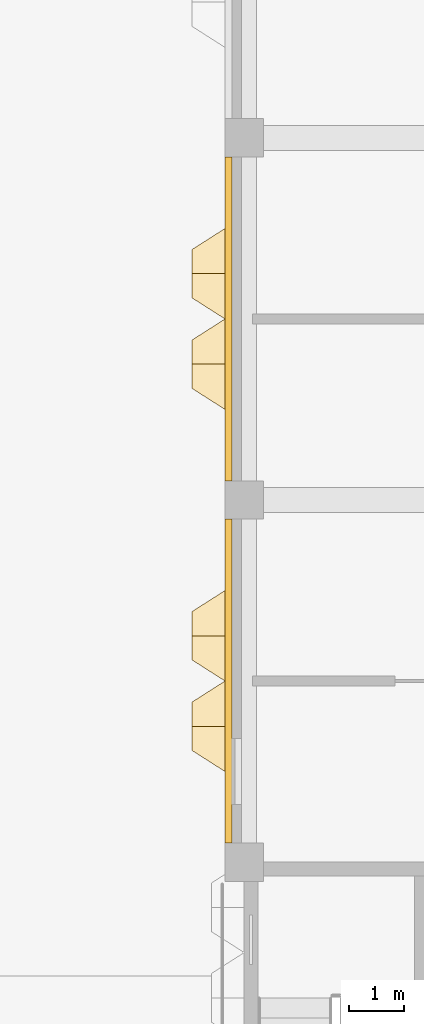
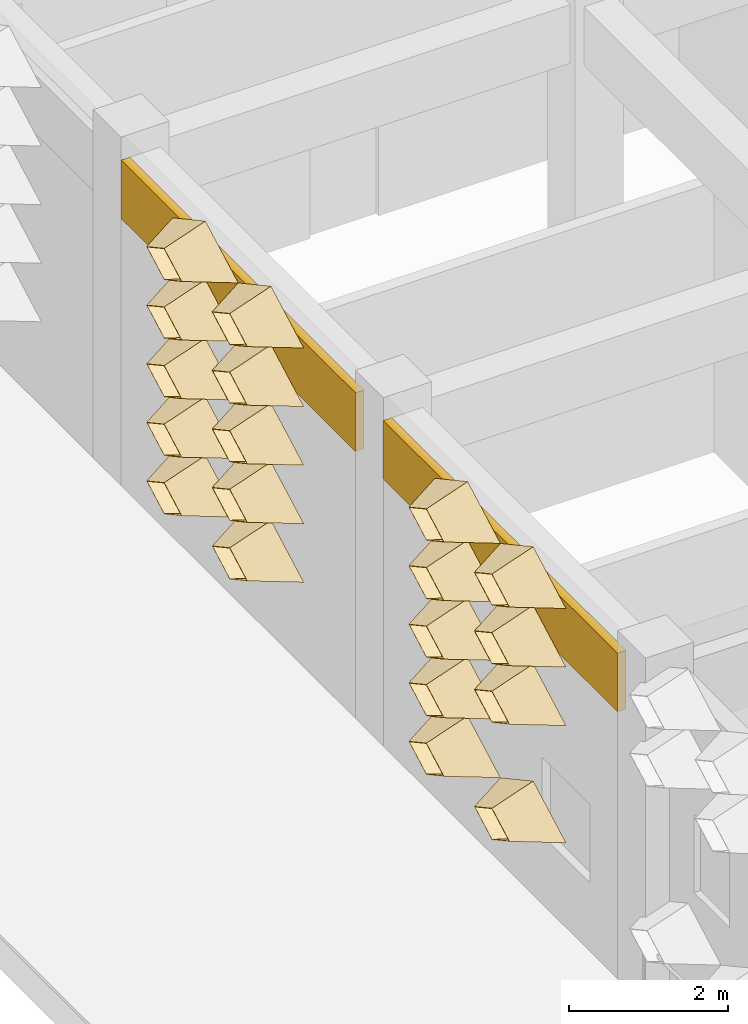
# One storey, part 63 of 85: 21 coverings.
"""IFC4 building model written with IfcOpenShell, lengths in metres."""

from ifc_helpers import new_model, entity, si_unit, direction, frame, frame_2d, origin, place, context, subcontext, project, spatial, rectangle, extrude, material, layer, layer_set, type_object, element, save


model = new_model("IFC4")

# Units and contexts
model_context = context("Model", 3, precision=1e-05, world=origin(), true_north=direction((0.0, 1.0)))
body_context = subcontext(model_context, "Body", "Model", "MODEL_VIEW")
ifc_project = project(units=[si_unit("LENGTHUNIT", "METRE"), si_unit("AREAUNIT", "SQUARE_METRE"), si_unit("VOLUMEUNIT", "CUBIC_METRE"), si_unit("PLANEANGLEUNIT", "RADIAN"), si_unit("MASSUNIT", "GRAM", prefix="KILO")], contexts=[model_context])

# Site, building, storey
site_placement = place(None, origin())
site = spatial("IfcSite", under=ifc_project, at=site_placement, CompositionType="ELEMENT")
building_placement = place(site_placement, origin())
building = spatial("IfcBuilding", under=site, at=building_placement, Name="Lantern Court Research Institute", CompositionType="ELEMENT")
storey_placement = place(building_placement, origin())
storey = spatial("IfcBuildingStorey", under=building, at=storey_placement, Name="L00", CompositionType="ELEMENT", Elevation=0.0)

# Coverings
ifc_material_1 = material(Name="Aluminium composite panel with mineral wool insulation", Category="aluminium")
ifc_layer_1 = layer(ifc_material_1, 0.125)
ifc_layer_set_1 = layer_set([ifc_layer_1], Name="Aluminium composite panel with mineral wool insulation")
covering_type_1 = type_object("IfcCoveringType", Name="Edge fascia panel 125 aluminium faced", PredefinedType="CLADDING", material=ifc_layer_set_1)
covering_1_placement = place(storey_placement, frame((-0.28759765625, 56.449951171875, 4.14990234375), z_axis=(0.0, 0.0, 1.0), x_axis=(0.0, 1.0, 0.0)))
element("IfcCovering", 1, at=covering_1_placement, inside=storey, type_object=covering_type_1, Name="Edge fascia V3W L00 01", PredefinedType="CLADDING", context=body_context, shape_type="SweptSolid", body=[
    extrude(rectangle(XDim=5.900146484375, YDim=0.125, at=frame_2d((2.9501953125, 0.0))), origin(), (0.0, 0.0, 1.0), 0.900146484375),
])
covering_2_placement = place(storey_placement, frame((-0.28759765625, 63.050048828125, 4.14990234375), z_axis=(0.0, 0.0, 1.0), x_axis=(0.0, 1.0, 0.0)))
element("IfcCovering", 2, at=covering_2_placement, inside=storey, type_object=covering_type_1, Name="Edge fascia V3W L00 02", PredefinedType="CLADDING", context=body_context, shape_type="SweptSolid", body=[
    extrude(rectangle(XDim=5.89990234375, YDim=0.125, at=frame_2d((2.949951171875, 0.0))), origin(), (0.0, 0.0, 1.0), 0.900146484375),
])
ifc_material_2 = material(Name="Anodised aluminium", Category="aluminium")
ifc_layer_2 = layer(ifc_material_2, 0.01611328125)
ifc_layer_set_2 = layer_set([ifc_layer_2], Name="Anodised aluminium")
covering_type_2 = type_object("IfcCoveringType", Name="Fin cassette 1650 x 900 x 600 aluminium", PredefinedType="CLADDING", material=ifc_layer_set_2)
covering_3_placement = place(storey_placement, frame((-0.35009765625, 58.574951171875, 1.35009765625), z_axis=(-1.0, 0.0, 0.0), x_axis=(0.0, -1.0, 0.0)))
cartesian_point_1 = entity("IfcCartesianPoint", [0.824951171875, 0.0])
cartesian_point_2 = entity("IfcCartesianPoint", [0.79150390625, 0.0])
cartesian_point_3 = entity("IfcCartesianPoint", [0.44189453125, 0.0])
cartesian_point_4 = entity("IfcCartesianPoint", [0.43359375, 0.0])
element("IfcCovering", 3, at=covering_3_placement, inside=storey, type_object=covering_type_2, Name="Fin cassette V3W-L00 2.36", PredefinedType="CLADDING", context=body_context, shape_type="SweptSolid", body=[
    entity("IfcExtrudedAreaSolidTapered", entity("IfcArbitraryProfileDefWithVoids", "AREA", None, entity("IfcPolyline", [cartesian_point_1, entity("IfcCartesianPoint", [0.0, 0.449951171875]), entity("IfcCartesianPoint", [-0.824951171875, 0.0]), entity("IfcCartesianPoint", [0.0, -0.449951171875]), cartesian_point_1]), [entity("IfcPolyline", [cartesian_point_2, entity("IfcCartesianPoint", [0.0, 0.431884765625]), entity("IfcCartesianPoint", [-0.79150390625, 0.0]), entity("IfcCartesianPoint", [0.0, -0.431884765625]), cartesian_point_2])]), entity("IfcAxis2Placement3D", entity("IfcCartesianPoint", [0.0, 0.0, 0.0])), entity("IfcDirection", [0.0, 0.0, 1.0]), 0.60009765625, entity("IfcArbitraryProfileDefWithVoids", "AREA", None, entity("IfcPolyline", [cartesian_point_3, entity("IfcCartesianPoint", [0.0, 0.240966796875]), entity("IfcCartesianPoint", [-0.44189453125, 0.0]), entity("IfcCartesianPoint", [0.0, -0.240966796875]), cartesian_point_3]), [entity("IfcPolyline", [cartesian_point_4, entity("IfcCartesianPoint", [0.0, 0.236572265625]), entity("IfcCartesianPoint", [-0.43359375, 0.0]), entity("IfcCartesianPoint", [0.0, -0.236572265625]), cartesian_point_4])])),
])
covering_4_placement = place(storey_placement, frame((-0.35009765625, 60.22509765625, 1.35009765625), z_axis=(-1.0, 0.0, 0.0), x_axis=(0.0, -1.0, 0.0)))
cartesian_point_5 = entity("IfcCartesianPoint", [0.824951171875, 0.0])
cartesian_point_6 = entity("IfcCartesianPoint", [0.79150390625, 0.0])
cartesian_point_7 = entity("IfcCartesianPoint", [0.44189453125, 0.0])
cartesian_point_8 = entity("IfcCartesianPoint", [0.43359375, 0.0])
element("IfcCovering", 4, at=covering_4_placement, inside=storey, type_object=covering_type_2, Name="Fin cassette V3W-L00 2.37", PredefinedType="CLADDING", context=body_context, shape_type="SweptSolid", body=[
    entity("IfcExtrudedAreaSolidTapered", entity("IfcArbitraryProfileDefWithVoids", "AREA", None, entity("IfcPolyline", [cartesian_point_5, entity("IfcCartesianPoint", [0.0, 0.449951171875]), entity("IfcCartesianPoint", [-0.824951171875, 0.0]), entity("IfcCartesianPoint", [0.0, -0.449951171875]), cartesian_point_5]), [entity("IfcPolyline", [cartesian_point_6, entity("IfcCartesianPoint", [0.0, 0.431884765625]), entity("IfcCartesianPoint", [-0.79150390625, 0.0]), entity("IfcCartesianPoint", [0.0, -0.431884765625]), cartesian_point_6])]), entity("IfcAxis2Placement3D", entity("IfcCartesianPoint", [0.0, 0.0, 0.0])), entity("IfcDirection", [0.0, 0.0, 1.0]), 0.60009765625, entity("IfcArbitraryProfileDefWithVoids", "AREA", None, entity("IfcPolyline", [cartesian_point_7, entity("IfcCartesianPoint", [0.0, 0.240966796875]), entity("IfcCartesianPoint", [-0.44189453125, 0.0]), entity("IfcCartesianPoint", [0.0, -0.240966796875]), cartesian_point_7]), [entity("IfcPolyline", [cartesian_point_8, entity("IfcCartesianPoint", [0.0, 0.236572265625]), entity("IfcCartesianPoint", [-0.43359375, 0.0]), entity("IfcCartesianPoint", [0.0, -0.236572265625]), cartesian_point_8])])),
])
covering_5_placement = place(storey_placement, frame((-0.35009765625, 65.175048828125, 1.35009765625), z_axis=(-1.0, 0.0, 0.0), x_axis=(0.0, -1.0, 0.0)))
cartesian_point_9 = entity("IfcCartesianPoint", [0.824951171875, 0.0])
cartesian_point_10 = entity("IfcCartesianPoint", [0.79150390625, 0.0])
cartesian_point_11 = entity("IfcCartesianPoint", [0.44189453125, 0.0])
cartesian_point_12 = entity("IfcCartesianPoint", [0.43359375, 0.0])
element("IfcCovering", 5, at=covering_5_placement, inside=storey, type_object=covering_type_2, Name="Fin cassette V3W-L00 2.40", PredefinedType="CLADDING", context=body_context, shape_type="SweptSolid", body=[
    entity("IfcExtrudedAreaSolidTapered", entity("IfcArbitraryProfileDefWithVoids", "AREA", None, entity("IfcPolyline", [cartesian_point_9, entity("IfcCartesianPoint", [0.0, 0.449951171875]), entity("IfcCartesianPoint", [-0.824951171875, 0.0]), entity("IfcCartesianPoint", [0.0, -0.449951171875]), cartesian_point_9]), [entity("IfcPolyline", [cartesian_point_10, entity("IfcCartesianPoint", [0.0, 0.431884765625]), entity("IfcCartesianPoint", [-0.79150390625, 0.0]), entity("IfcCartesianPoint", [0.0, -0.431884765625]), cartesian_point_10])]), entity("IfcAxis2Placement3D", entity("IfcCartesianPoint", [0.0, 0.0, 0.0])), entity("IfcDirection", [0.0, 0.0, 1.0]), 0.60009765625, entity("IfcArbitraryProfileDefWithVoids", "AREA", None, entity("IfcPolyline", [cartesian_point_11, entity("IfcCartesianPoint", [0.0, 0.240966796875]), entity("IfcCartesianPoint", [-0.44189453125, 0.0]), entity("IfcCartesianPoint", [0.0, -0.240966796875]), cartesian_point_11]), [entity("IfcPolyline", [cartesian_point_12, entity("IfcCartesianPoint", [0.0, 0.236572265625]), entity("IfcCartesianPoint", [-0.43359375, 0.0]), entity("IfcCartesianPoint", [0.0, -0.236572265625]), cartesian_point_12])])),
])
covering_6_placement = place(storey_placement, frame((-0.35009765625, 66.824951171875, 1.35009765625), z_axis=(-1.0, 0.0, 0.0), x_axis=(0.0, -1.0, 0.0)))
cartesian_point_13 = entity("IfcCartesianPoint", [0.824951171875, 0.0])
cartesian_point_14 = entity("IfcCartesianPoint", [0.79150390625, 0.0])
cartesian_point_15 = entity("IfcCartesianPoint", [0.44189453125, 0.0])
cartesian_point_16 = entity("IfcCartesianPoint", [0.43359375, 0.0])
element("IfcCovering", 6, at=covering_6_placement, inside=storey, type_object=covering_type_2, Name="Fin cassette V3W-L00 2.41", PredefinedType="CLADDING", context=body_context, shape_type="SweptSolid", body=[
    entity("IfcExtrudedAreaSolidTapered", entity("IfcArbitraryProfileDefWithVoids", "AREA", None, entity("IfcPolyline", [cartesian_point_13, entity("IfcCartesianPoint", [0.0, 0.449951171875]), entity("IfcCartesianPoint", [-0.824951171875, 0.0]), entity("IfcCartesianPoint", [0.0, -0.449951171875]), cartesian_point_13]), [entity("IfcPolyline", [cartesian_point_14, entity("IfcCartesianPoint", [0.0, 0.431884765625]), entity("IfcCartesianPoint", [-0.79150390625, 0.0]), entity("IfcCartesianPoint", [0.0, -0.431884765625]), cartesian_point_14])]), entity("IfcAxis2Placement3D", entity("IfcCartesianPoint", [0.0, 0.0, 0.0])), entity("IfcDirection", [0.0, 0.0, 1.0]), 0.60009765625, entity("IfcArbitraryProfileDefWithVoids", "AREA", None, entity("IfcPolyline", [cartesian_point_15, entity("IfcCartesianPoint", [0.0, 0.240966796875]), entity("IfcCartesianPoint", [-0.44189453125, 0.0]), entity("IfcCartesianPoint", [0.0, -0.240966796875]), cartesian_point_15]), [entity("IfcPolyline", [cartesian_point_16, entity("IfcCartesianPoint", [0.0, 0.236572265625]), entity("IfcCartesianPoint", [-0.43359375, 0.0]), entity("IfcCartesianPoint", [0.0, -0.236572265625]), cartesian_point_16])])),
])
covering_7_placement = place(storey_placement, frame((-0.35009765625, 60.22509765625, 2.25), z_axis=(-1.0, 0.0, 0.0), x_axis=(0.0, -1.0, 0.0)))
cartesian_point_17 = entity("IfcCartesianPoint", [0.824951171875, 0.0])
cartesian_point_18 = entity("IfcCartesianPoint", [0.79150390625, 0.0])
cartesian_point_19 = entity("IfcCartesianPoint", [0.44189453125, 0.0])
cartesian_point_20 = entity("IfcCartesianPoint", [0.43359375, 0.0])
element("IfcCovering", 7, at=covering_7_placement, inside=storey, type_object=covering_type_2, Name="Fin cassette V3W-L00 3.37", PredefinedType="CLADDING", context=body_context, shape_type="SweptSolid", body=[
    entity("IfcExtrudedAreaSolidTapered", entity("IfcArbitraryProfileDefWithVoids", "AREA", None, entity("IfcPolyline", [cartesian_point_17, entity("IfcCartesianPoint", [0.0, 0.449951171875]), entity("IfcCartesianPoint", [-0.824951171875, 0.0]), entity("IfcCartesianPoint", [0.0, -0.449951171875]), cartesian_point_17]), [entity("IfcPolyline", [cartesian_point_18, entity("IfcCartesianPoint", [0.0, 0.431884765625]), entity("IfcCartesianPoint", [-0.79150390625, 0.0]), entity("IfcCartesianPoint", [0.0, -0.431884765625]), cartesian_point_18])]), entity("IfcAxis2Placement3D", entity("IfcCartesianPoint", [0.0, 0.0, 0.0])), entity("IfcDirection", [0.0, 0.0, 1.0]), 0.60009765625, entity("IfcArbitraryProfileDefWithVoids", "AREA", None, entity("IfcPolyline", [cartesian_point_19, entity("IfcCartesianPoint", [0.0, 0.240966796875]), entity("IfcCartesianPoint", [-0.44189453125, 0.0]), entity("IfcCartesianPoint", [0.0, -0.240966796875]), cartesian_point_19]), [entity("IfcPolyline", [cartesian_point_20, entity("IfcCartesianPoint", [0.0, 0.236572265625]), entity("IfcCartesianPoint", [-0.43359375, 0.0]), entity("IfcCartesianPoint", [0.0, -0.236572265625]), cartesian_point_20])])),
])
covering_8_placement = place(storey_placement, frame((-0.35009765625, 65.175048828125, 2.25), z_axis=(-1.0, 0.0, 0.0), x_axis=(0.0, -1.0, 0.0)))
cartesian_point_21 = entity("IfcCartesianPoint", [0.824951171875, 0.0])
cartesian_point_22 = entity("IfcCartesianPoint", [0.79150390625, 0.0])
cartesian_point_23 = entity("IfcCartesianPoint", [0.44189453125, 0.0])
cartesian_point_24 = entity("IfcCartesianPoint", [0.43359375, 0.0])
element("IfcCovering", 8, at=covering_8_placement, inside=storey, type_object=covering_type_2, Name="Fin cassette V3W-L00 3.40", PredefinedType="CLADDING", context=body_context, shape_type="SweptSolid", body=[
    entity("IfcExtrudedAreaSolidTapered", entity("IfcArbitraryProfileDefWithVoids", "AREA", None, entity("IfcPolyline", [cartesian_point_21, entity("IfcCartesianPoint", [0.0, 0.449951171875]), entity("IfcCartesianPoint", [-0.824951171875, 0.0]), entity("IfcCartesianPoint", [0.0, -0.449951171875]), cartesian_point_21]), [entity("IfcPolyline", [cartesian_point_22, entity("IfcCartesianPoint", [0.0, 0.431884765625]), entity("IfcCartesianPoint", [-0.79150390625, 0.0]), entity("IfcCartesianPoint", [0.0, -0.431884765625]), cartesian_point_22])]), entity("IfcAxis2Placement3D", entity("IfcCartesianPoint", [0.0, 0.0, 0.0])), entity("IfcDirection", [0.0, 0.0, 1.0]), 0.60009765625, entity("IfcArbitraryProfileDefWithVoids", "AREA", None, entity("IfcPolyline", [cartesian_point_23, entity("IfcCartesianPoint", [0.0, 0.240966796875]), entity("IfcCartesianPoint", [-0.44189453125, 0.0]), entity("IfcCartesianPoint", [0.0, -0.240966796875]), cartesian_point_23]), [entity("IfcPolyline", [cartesian_point_24, entity("IfcCartesianPoint", [0.0, 0.236572265625]), entity("IfcCartesianPoint", [-0.43359375, 0.0]), entity("IfcCartesianPoint", [0.0, -0.236572265625]), cartesian_point_24])])),
])
covering_9_placement = place(storey_placement, frame((-0.35009765625, 66.824951171875, 2.25), z_axis=(-1.0, 0.0, 0.0), x_axis=(0.0, -1.0, 0.0)))
cartesian_point_25 = entity("IfcCartesianPoint", [0.824951171875, 0.0])
cartesian_point_26 = entity("IfcCartesianPoint", [0.79150390625, 0.0])
cartesian_point_27 = entity("IfcCartesianPoint", [0.44189453125, 0.0])
cartesian_point_28 = entity("IfcCartesianPoint", [0.43359375, 0.0])
element("IfcCovering", 9, at=covering_9_placement, inside=storey, type_object=covering_type_2, Name="Fin cassette V3W-L00 3.41", PredefinedType="CLADDING", context=body_context, shape_type="SweptSolid", body=[
    entity("IfcExtrudedAreaSolidTapered", entity("IfcArbitraryProfileDefWithVoids", "AREA", None, entity("IfcPolyline", [cartesian_point_25, entity("IfcCartesianPoint", [0.0, 0.449951171875]), entity("IfcCartesianPoint", [-0.824951171875, 0.0]), entity("IfcCartesianPoint", [0.0, -0.449951171875]), cartesian_point_25]), [entity("IfcPolyline", [cartesian_point_26, entity("IfcCartesianPoint", [0.0, 0.431884765625]), entity("IfcCartesianPoint", [-0.79150390625, 0.0]), entity("IfcCartesianPoint", [0.0, -0.431884765625]), cartesian_point_26])]), entity("IfcAxis2Placement3D", entity("IfcCartesianPoint", [0.0, 0.0, 0.0])), entity("IfcDirection", [0.0, 0.0, 1.0]), 0.60009765625, entity("IfcArbitraryProfileDefWithVoids", "AREA", None, entity("IfcPolyline", [cartesian_point_27, entity("IfcCartesianPoint", [0.0, 0.240966796875]), entity("IfcCartesianPoint", [-0.44189453125, 0.0]), entity("IfcCartesianPoint", [0.0, -0.240966796875]), cartesian_point_27]), [entity("IfcPolyline", [cartesian_point_28, entity("IfcCartesianPoint", [0.0, 0.236572265625]), entity("IfcCartesianPoint", [-0.43359375, 0.0]), entity("IfcCartesianPoint", [0.0, -0.236572265625]), cartesian_point_28])])),
])
covering_10_placement = place(storey_placement, frame((-0.35009765625, 58.574951171875, 3.14990234375), z_axis=(-1.0, 0.0, 0.0), x_axis=(0.0, -1.0, 0.0)))
cartesian_point_29 = entity("IfcCartesianPoint", [0.824951171875, 0.0])
cartesian_point_30 = entity("IfcCartesianPoint", [0.79150390625, 0.0])
cartesian_point_31 = entity("IfcCartesianPoint", [0.44189453125, 0.0])
cartesian_point_32 = entity("IfcCartesianPoint", [0.43359375, 0.0])
element("IfcCovering", 10, at=covering_10_placement, inside=storey, type_object=covering_type_2, Name="Fin cassette V3W-L00 4.36", PredefinedType="CLADDING", context=body_context, shape_type="SweptSolid", body=[
    entity("IfcExtrudedAreaSolidTapered", entity("IfcArbitraryProfileDefWithVoids", "AREA", None, entity("IfcPolyline", [cartesian_point_29, entity("IfcCartesianPoint", [0.0, 0.449951171875]), entity("IfcCartesianPoint", [-0.824951171875, 0.0]), entity("IfcCartesianPoint", [0.0, -0.449951171875]), cartesian_point_29]), [entity("IfcPolyline", [cartesian_point_30, entity("IfcCartesianPoint", [0.0, 0.431884765625]), entity("IfcCartesianPoint", [-0.79150390625, 0.0]), entity("IfcCartesianPoint", [0.0, -0.431884765625]), cartesian_point_30])]), entity("IfcAxis2Placement3D", entity("IfcCartesianPoint", [0.0, 0.0, 0.0])), entity("IfcDirection", [0.0, 0.0, 1.0]), 0.60009765625, entity("IfcArbitraryProfileDefWithVoids", "AREA", None, entity("IfcPolyline", [cartesian_point_31, entity("IfcCartesianPoint", [0.0, 0.240966796875]), entity("IfcCartesianPoint", [-0.44189453125, 0.0]), entity("IfcCartesianPoint", [0.0, -0.240966796875]), cartesian_point_31]), [entity("IfcPolyline", [cartesian_point_32, entity("IfcCartesianPoint", [0.0, 0.236572265625]), entity("IfcCartesianPoint", [-0.43359375, 0.0]), entity("IfcCartesianPoint", [0.0, -0.236572265625]), cartesian_point_32])])),
])
covering_11_placement = place(storey_placement, frame((-0.35009765625, 60.22509765625, 3.14990234375), z_axis=(-1.0, 0.0, 0.0), x_axis=(0.0, -1.0, 0.0)))
cartesian_point_33 = entity("IfcCartesianPoint", [0.824951171875, 0.0])
cartesian_point_34 = entity("IfcCartesianPoint", [0.79150390625, 0.0])
cartesian_point_35 = entity("IfcCartesianPoint", [0.44189453125, 0.0])
cartesian_point_36 = entity("IfcCartesianPoint", [0.43359375, 0.0])
element("IfcCovering", 11, at=covering_11_placement, inside=storey, type_object=covering_type_2, Name="Fin cassette V3W-L00 4.37", PredefinedType="CLADDING", context=body_context, shape_type="SweptSolid", body=[
    entity("IfcExtrudedAreaSolidTapered", entity("IfcArbitraryProfileDefWithVoids", "AREA", None, entity("IfcPolyline", [cartesian_point_33, entity("IfcCartesianPoint", [0.0, 0.449951171875]), entity("IfcCartesianPoint", [-0.824951171875, 0.0]), entity("IfcCartesianPoint", [0.0, -0.449951171875]), cartesian_point_33]), [entity("IfcPolyline", [cartesian_point_34, entity("IfcCartesianPoint", [0.0, 0.431884765625]), entity("IfcCartesianPoint", [-0.79150390625, 0.0]), entity("IfcCartesianPoint", [0.0, -0.431884765625]), cartesian_point_34])]), entity("IfcAxis2Placement3D", entity("IfcCartesianPoint", [0.0, 0.0, 0.0])), entity("IfcDirection", [0.0, 0.0, 1.0]), 0.60009765625, entity("IfcArbitraryProfileDefWithVoids", "AREA", None, entity("IfcPolyline", [cartesian_point_35, entity("IfcCartesianPoint", [0.0, 0.240966796875]), entity("IfcCartesianPoint", [-0.44189453125, 0.0]), entity("IfcCartesianPoint", [0.0, -0.240966796875]), cartesian_point_35]), [entity("IfcPolyline", [cartesian_point_36, entity("IfcCartesianPoint", [0.0, 0.236572265625]), entity("IfcCartesianPoint", [-0.43359375, 0.0]), entity("IfcCartesianPoint", [0.0, -0.236572265625]), cartesian_point_36])])),
])
covering_12_placement = place(storey_placement, frame((-0.35009765625, 65.175048828125, 3.14990234375), z_axis=(-1.0, 0.0, 0.0), x_axis=(0.0, -1.0, 0.0)))
cartesian_point_37 = entity("IfcCartesianPoint", [0.824951171875, 0.0])
cartesian_point_38 = entity("IfcCartesianPoint", [0.79150390625, 0.0])
cartesian_point_39 = entity("IfcCartesianPoint", [0.44189453125, 0.0])
cartesian_point_40 = entity("IfcCartesianPoint", [0.43359375, 0.0])
element("IfcCovering", 12, at=covering_12_placement, inside=storey, type_object=covering_type_2, Name="Fin cassette V3W-L00 4.40", PredefinedType="CLADDING", context=body_context, shape_type="SweptSolid", body=[
    entity("IfcExtrudedAreaSolidTapered", entity("IfcArbitraryProfileDefWithVoids", "AREA", None, entity("IfcPolyline", [cartesian_point_37, entity("IfcCartesianPoint", [0.0, 0.449951171875]), entity("IfcCartesianPoint", [-0.824951171875, 0.0]), entity("IfcCartesianPoint", [0.0, -0.449951171875]), cartesian_point_37]), [entity("IfcPolyline", [cartesian_point_38, entity("IfcCartesianPoint", [0.0, 0.431884765625]), entity("IfcCartesianPoint", [-0.79150390625, 0.0]), entity("IfcCartesianPoint", [0.0, -0.431884765625]), cartesian_point_38])]), entity("IfcAxis2Placement3D", entity("IfcCartesianPoint", [0.0, 0.0, 0.0])), entity("IfcDirection", [0.0, 0.0, 1.0]), 0.60009765625, entity("IfcArbitraryProfileDefWithVoids", "AREA", None, entity("IfcPolyline", [cartesian_point_39, entity("IfcCartesianPoint", [0.0, 0.240966796875]), entity("IfcCartesianPoint", [-0.44189453125, 0.0]), entity("IfcCartesianPoint", [0.0, -0.240966796875]), cartesian_point_39]), [entity("IfcPolyline", [cartesian_point_40, entity("IfcCartesianPoint", [0.0, 0.236572265625]), entity("IfcCartesianPoint", [-0.43359375, 0.0]), entity("IfcCartesianPoint", [0.0, -0.236572265625]), cartesian_point_40])])),
])
covering_13_placement = place(storey_placement, frame((-0.35009765625, 66.824951171875, 3.14990234375), z_axis=(-1.0, 0.0, 0.0), x_axis=(0.0, -1.0, 0.0)))
cartesian_point_41 = entity("IfcCartesianPoint", [0.824951171875, 0.0])
cartesian_point_42 = entity("IfcCartesianPoint", [0.79150390625, 0.0])
cartesian_point_43 = entity("IfcCartesianPoint", [0.44189453125, 0.0])
cartesian_point_44 = entity("IfcCartesianPoint", [0.43359375, 0.0])
element("IfcCovering", 13, at=covering_13_placement, inside=storey, type_object=covering_type_2, Name="Fin cassette V3W-L00 4.41", PredefinedType="CLADDING", context=body_context, shape_type="SweptSolid", body=[
    entity("IfcExtrudedAreaSolidTapered", entity("IfcArbitraryProfileDefWithVoids", "AREA", None, entity("IfcPolyline", [cartesian_point_41, entity("IfcCartesianPoint", [0.0, 0.449951171875]), entity("IfcCartesianPoint", [-0.824951171875, 0.0]), entity("IfcCartesianPoint", [0.0, -0.449951171875]), cartesian_point_41]), [entity("IfcPolyline", [cartesian_point_42, entity("IfcCartesianPoint", [0.0, 0.431884765625]), entity("IfcCartesianPoint", [-0.79150390625, 0.0]), entity("IfcCartesianPoint", [0.0, -0.431884765625]), cartesian_point_42])]), entity("IfcAxis2Placement3D", entity("IfcCartesianPoint", [0.0, 0.0, 0.0])), entity("IfcDirection", [0.0, 0.0, 1.0]), 0.60009765625, entity("IfcArbitraryProfileDefWithVoids", "AREA", None, entity("IfcPolyline", [cartesian_point_43, entity("IfcCartesianPoint", [0.0, 0.240966796875]), entity("IfcCartesianPoint", [-0.44189453125, 0.0]), entity("IfcCartesianPoint", [0.0, -0.240966796875]), cartesian_point_43]), [entity("IfcPolyline", [cartesian_point_44, entity("IfcCartesianPoint", [0.0, 0.236572265625]), entity("IfcCartesianPoint", [-0.43359375, 0.0]), entity("IfcCartesianPoint", [0.0, -0.236572265625]), cartesian_point_44])])),
])
covering_14_placement = place(storey_placement, frame((-0.35009765625, 58.574951171875, 4.050048828125), z_axis=(-1.0, 0.0, 0.0), x_axis=(0.0, -1.0, 0.0)))
cartesian_point_45 = entity("IfcCartesianPoint", [0.824951171875, 0.0])
cartesian_point_46 = entity("IfcCartesianPoint", [0.79150390625, 0.0])
cartesian_point_47 = entity("IfcCartesianPoint", [0.44189453125, 0.0])
cartesian_point_48 = entity("IfcCartesianPoint", [0.43359375, 0.0])
element("IfcCovering", 14, at=covering_14_placement, inside=storey, type_object=covering_type_2, Name="Fin cassette V3W-L00 5.36", PredefinedType="CLADDING", context=body_context, shape_type="SweptSolid", body=[
    entity("IfcExtrudedAreaSolidTapered", entity("IfcArbitraryProfileDefWithVoids", "AREA", None, entity("IfcPolyline", [cartesian_point_45, entity("IfcCartesianPoint", [0.0, 0.449951171875]), entity("IfcCartesianPoint", [-0.824951171875, 0.0]), entity("IfcCartesianPoint", [0.0, -0.449951171875]), cartesian_point_45]), [entity("IfcPolyline", [cartesian_point_46, entity("IfcCartesianPoint", [0.0, 0.431884765625]), entity("IfcCartesianPoint", [-0.79150390625, 0.0]), entity("IfcCartesianPoint", [0.0, -0.431884765625]), cartesian_point_46])]), entity("IfcAxis2Placement3D", entity("IfcCartesianPoint", [0.0, 0.0, 0.0])), entity("IfcDirection", [0.0, 0.0, 1.0]), 0.60009765625, entity("IfcArbitraryProfileDefWithVoids", "AREA", None, entity("IfcPolyline", [cartesian_point_47, entity("IfcCartesianPoint", [0.0, 0.240966796875]), entity("IfcCartesianPoint", [-0.44189453125, 0.0]), entity("IfcCartesianPoint", [0.0, -0.240966796875]), cartesian_point_47]), [entity("IfcPolyline", [cartesian_point_48, entity("IfcCartesianPoint", [0.0, 0.236572265625]), entity("IfcCartesianPoint", [-0.43359375, 0.0]), entity("IfcCartesianPoint", [0.0, -0.236572265625]), cartesian_point_48])])),
])
covering_15_placement = place(storey_placement, frame((-0.35009765625, 60.22509765625, 4.050048828125), z_axis=(-1.0, 0.0, 0.0), x_axis=(0.0, -1.0, 0.0)))
cartesian_point_49 = entity("IfcCartesianPoint", [0.824951171875, 0.0])
cartesian_point_50 = entity("IfcCartesianPoint", [0.79150390625, 0.0])
cartesian_point_51 = entity("IfcCartesianPoint", [0.44189453125, 0.0])
cartesian_point_52 = entity("IfcCartesianPoint", [0.43359375, 0.0])
element("IfcCovering", 15, at=covering_15_placement, inside=storey, type_object=covering_type_2, Name="Fin cassette V3W-L00 5.37", PredefinedType="CLADDING", context=body_context, shape_type="SweptSolid", body=[
    entity("IfcExtrudedAreaSolidTapered", entity("IfcArbitraryProfileDefWithVoids", "AREA", None, entity("IfcPolyline", [cartesian_point_49, entity("IfcCartesianPoint", [0.0, 0.449951171875]), entity("IfcCartesianPoint", [-0.824951171875, 0.0]), entity("IfcCartesianPoint", [0.0, -0.449951171875]), cartesian_point_49]), [entity("IfcPolyline", [cartesian_point_50, entity("IfcCartesianPoint", [0.0, 0.431884765625]), entity("IfcCartesianPoint", [-0.79150390625, 0.0]), entity("IfcCartesianPoint", [0.0, -0.431884765625]), cartesian_point_50])]), entity("IfcAxis2Placement3D", entity("IfcCartesianPoint", [0.0, 0.0, 0.0])), entity("IfcDirection", [0.0, 0.0, 1.0]), 0.60009765625, entity("IfcArbitraryProfileDefWithVoids", "AREA", None, entity("IfcPolyline", [cartesian_point_51, entity("IfcCartesianPoint", [0.0, 0.240966796875]), entity("IfcCartesianPoint", [-0.44189453125, 0.0]), entity("IfcCartesianPoint", [0.0, -0.240966796875]), cartesian_point_51]), [entity("IfcPolyline", [cartesian_point_52, entity("IfcCartesianPoint", [0.0, 0.236572265625]), entity("IfcCartesianPoint", [-0.43359375, 0.0]), entity("IfcCartesianPoint", [0.0, -0.236572265625]), cartesian_point_52])])),
])
covering_16_placement = place(storey_placement, frame((-0.35009765625, 65.175048828125, 4.050048828125), z_axis=(-1.0, 0.0, 0.0), x_axis=(0.0, -1.0, 0.0)))
cartesian_point_53 = entity("IfcCartesianPoint", [0.824951171875, 0.0])
cartesian_point_54 = entity("IfcCartesianPoint", [0.79150390625, 0.0])
cartesian_point_55 = entity("IfcCartesianPoint", [0.44189453125, 0.0])
cartesian_point_56 = entity("IfcCartesianPoint", [0.43359375, 0.0])
element("IfcCovering", 16, at=covering_16_placement, inside=storey, type_object=covering_type_2, Name="Fin cassette V3W-L00 5.40", PredefinedType="CLADDING", context=body_context, shape_type="SweptSolid", body=[
    entity("IfcExtrudedAreaSolidTapered", entity("IfcArbitraryProfileDefWithVoids", "AREA", None, entity("IfcPolyline", [cartesian_point_53, entity("IfcCartesianPoint", [0.0, 0.449951171875]), entity("IfcCartesianPoint", [-0.824951171875, 0.0]), entity("IfcCartesianPoint", [0.0, -0.449951171875]), cartesian_point_53]), [entity("IfcPolyline", [cartesian_point_54, entity("IfcCartesianPoint", [0.0, 0.431884765625]), entity("IfcCartesianPoint", [-0.79150390625, 0.0]), entity("IfcCartesianPoint", [0.0, -0.431884765625]), cartesian_point_54])]), entity("IfcAxis2Placement3D", entity("IfcCartesianPoint", [0.0, 0.0, 0.0])), entity("IfcDirection", [0.0, 0.0, 1.0]), 0.60009765625, entity("IfcArbitraryProfileDefWithVoids", "AREA", None, entity("IfcPolyline", [cartesian_point_55, entity("IfcCartesianPoint", [0.0, 0.240966796875]), entity("IfcCartesianPoint", [-0.44189453125, 0.0]), entity("IfcCartesianPoint", [0.0, -0.240966796875]), cartesian_point_55]), [entity("IfcPolyline", [cartesian_point_56, entity("IfcCartesianPoint", [0.0, 0.236572265625]), entity("IfcCartesianPoint", [-0.43359375, 0.0]), entity("IfcCartesianPoint", [0.0, -0.236572265625]), cartesian_point_56])])),
])
covering_17_placement = place(storey_placement, frame((-0.35009765625, 66.824951171875, 4.050048828125), z_axis=(-1.0, 0.0, 0.0), x_axis=(0.0, -1.0, 0.0)))
cartesian_point_57 = entity("IfcCartesianPoint", [0.824951171875, 0.0])
cartesian_point_58 = entity("IfcCartesianPoint", [0.79150390625, 0.0])
cartesian_point_59 = entity("IfcCartesianPoint", [0.44189453125, 0.0])
cartesian_point_60 = entity("IfcCartesianPoint", [0.43359375, 0.0])
element("IfcCovering", 17, at=covering_17_placement, inside=storey, type_object=covering_type_2, Name="Fin cassette V3W-L00 5.41", PredefinedType="CLADDING", context=body_context, shape_type="SweptSolid", body=[
    entity("IfcExtrudedAreaSolidTapered", entity("IfcArbitraryProfileDefWithVoids", "AREA", None, entity("IfcPolyline", [cartesian_point_57, entity("IfcCartesianPoint", [0.0, 0.449951171875]), entity("IfcCartesianPoint", [-0.824951171875, 0.0]), entity("IfcCartesianPoint", [0.0, -0.449951171875]), cartesian_point_57]), [entity("IfcPolyline", [cartesian_point_58, entity("IfcCartesianPoint", [0.0, 0.431884765625]), entity("IfcCartesianPoint", [-0.79150390625, 0.0]), entity("IfcCartesianPoint", [0.0, -0.431884765625]), cartesian_point_58])]), entity("IfcAxis2Placement3D", entity("IfcCartesianPoint", [0.0, 0.0, 0.0])), entity("IfcDirection", [0.0, 0.0, 1.0]), 0.60009765625, entity("IfcArbitraryProfileDefWithVoids", "AREA", None, entity("IfcPolyline", [cartesian_point_59, entity("IfcCartesianPoint", [0.0, 0.240966796875]), entity("IfcCartesianPoint", [-0.44189453125, 0.0]), entity("IfcCartesianPoint", [0.0, -0.240966796875]), cartesian_point_59]), [entity("IfcPolyline", [cartesian_point_60, entity("IfcCartesianPoint", [0.0, 0.236572265625]), entity("IfcCartesianPoint", [-0.43359375, 0.0]), entity("IfcCartesianPoint", [0.0, -0.236572265625]), cartesian_point_60])])),
])
covering_18_placement = place(storey_placement, frame((-0.35009765625, 58.574951171875, 4.949951171875), z_axis=(-1.0, 0.0, 0.0), x_axis=(0.0, -1.0, 0.0)))
cartesian_point_61 = entity("IfcCartesianPoint", [0.824951171875, 0.0])
cartesian_point_62 = entity("IfcCartesianPoint", [0.79150390625, 0.0])
cartesian_point_63 = entity("IfcCartesianPoint", [0.44189453125, 0.0])
cartesian_point_64 = entity("IfcCartesianPoint", [0.43359375, 0.0])
element("IfcCovering", 18, at=covering_18_placement, inside=storey, type_object=covering_type_2, Name="Fin cassette V3W-L00 6.36", PredefinedType="CLADDING", context=body_context, shape_type="SweptSolid", body=[
    entity("IfcExtrudedAreaSolidTapered", entity("IfcArbitraryProfileDefWithVoids", "AREA", None, entity("IfcPolyline", [cartesian_point_61, entity("IfcCartesianPoint", [0.0, 0.449951171875]), entity("IfcCartesianPoint", [-0.824951171875, 0.0]), entity("IfcCartesianPoint", [0.0, -0.449951171875]), cartesian_point_61]), [entity("IfcPolyline", [cartesian_point_62, entity("IfcCartesianPoint", [0.0, 0.431884765625]), entity("IfcCartesianPoint", [-0.79150390625, 0.0]), entity("IfcCartesianPoint", [0.0, -0.431884765625]), cartesian_point_62])]), entity("IfcAxis2Placement3D", entity("IfcCartesianPoint", [0.0, 0.0, 0.0])), entity("IfcDirection", [0.0, 0.0, 1.0]), 0.60009765625, entity("IfcArbitraryProfileDefWithVoids", "AREA", None, entity("IfcPolyline", [cartesian_point_63, entity("IfcCartesianPoint", [0.0, 0.240966796875]), entity("IfcCartesianPoint", [-0.44189453125, 0.0]), entity("IfcCartesianPoint", [0.0, -0.240966796875]), cartesian_point_63]), [entity("IfcPolyline", [cartesian_point_64, entity("IfcCartesianPoint", [0.0, 0.236572265625]), entity("IfcCartesianPoint", [-0.43359375, 0.0]), entity("IfcCartesianPoint", [0.0, -0.236572265625]), cartesian_point_64])])),
])
covering_19_placement = place(storey_placement, frame((-0.35009765625, 60.22509765625, 4.949951171875), z_axis=(-1.0, 0.0, 0.0), x_axis=(0.0, -1.0, 0.0)))
cartesian_point_65 = entity("IfcCartesianPoint", [0.824951171875, 0.0])
cartesian_point_66 = entity("IfcCartesianPoint", [0.79150390625, 0.0])
cartesian_point_67 = entity("IfcCartesianPoint", [0.44189453125, 0.0])
cartesian_point_68 = entity("IfcCartesianPoint", [0.43359375, 0.0])
element("IfcCovering", 19, at=covering_19_placement, inside=storey, type_object=covering_type_2, Name="Fin cassette V3W-L00 6.37", PredefinedType="CLADDING", context=body_context, shape_type="SweptSolid", body=[
    entity("IfcExtrudedAreaSolidTapered", entity("IfcArbitraryProfileDefWithVoids", "AREA", None, entity("IfcPolyline", [cartesian_point_65, entity("IfcCartesianPoint", [0.0, 0.449951171875]), entity("IfcCartesianPoint", [-0.824951171875, 0.0]), entity("IfcCartesianPoint", [0.0, -0.449951171875]), cartesian_point_65]), [entity("IfcPolyline", [cartesian_point_66, entity("IfcCartesianPoint", [0.0, 0.431884765625]), entity("IfcCartesianPoint", [-0.79150390625, 0.0]), entity("IfcCartesianPoint", [0.0, -0.431884765625]), cartesian_point_66])]), entity("IfcAxis2Placement3D", entity("IfcCartesianPoint", [0.0, 0.0, 0.0])), entity("IfcDirection", [0.0, 0.0, 1.0]), 0.60009765625, entity("IfcArbitraryProfileDefWithVoids", "AREA", None, entity("IfcPolyline", [cartesian_point_67, entity("IfcCartesianPoint", [0.0, 0.240966796875]), entity("IfcCartesianPoint", [-0.44189453125, 0.0]), entity("IfcCartesianPoint", [0.0, -0.240966796875]), cartesian_point_67]), [entity("IfcPolyline", [cartesian_point_68, entity("IfcCartesianPoint", [0.0, 0.236572265625]), entity("IfcCartesianPoint", [-0.43359375, 0.0]), entity("IfcCartesianPoint", [0.0, -0.236572265625]), cartesian_point_68])])),
])
covering_20_placement = place(storey_placement, frame((-0.35009765625, 65.175048828125, 4.949951171875), z_axis=(-1.0, 0.0, 0.0), x_axis=(0.0, -1.0, 0.0)))
cartesian_point_69 = entity("IfcCartesianPoint", [0.824951171875, 0.0])
cartesian_point_70 = entity("IfcCartesianPoint", [0.79150390625, 0.0])
cartesian_point_71 = entity("IfcCartesianPoint", [0.44189453125, 0.0])
cartesian_point_72 = entity("IfcCartesianPoint", [0.43359375, 0.0])
element("IfcCovering", 20, at=covering_20_placement, inside=storey, type_object=covering_type_2, Name="Fin cassette V3W-L00 6.40", PredefinedType="CLADDING", context=body_context, shape_type="SweptSolid", body=[
    entity("IfcExtrudedAreaSolidTapered", entity("IfcArbitraryProfileDefWithVoids", "AREA", None, entity("IfcPolyline", [cartesian_point_69, entity("IfcCartesianPoint", [0.0, 0.449951171875]), entity("IfcCartesianPoint", [-0.824951171875, 0.0]), entity("IfcCartesianPoint", [0.0, -0.449951171875]), cartesian_point_69]), [entity("IfcPolyline", [cartesian_point_70, entity("IfcCartesianPoint", [0.0, 0.431884765625]), entity("IfcCartesianPoint", [-0.79150390625, 0.0]), entity("IfcCartesianPoint", [0.0, -0.431884765625]), cartesian_point_70])]), entity("IfcAxis2Placement3D", entity("IfcCartesianPoint", [0.0, 0.0, 0.0])), entity("IfcDirection", [0.0, 0.0, 1.0]), 0.60009765625, entity("IfcArbitraryProfileDefWithVoids", "AREA", None, entity("IfcPolyline", [cartesian_point_71, entity("IfcCartesianPoint", [0.0, 0.240966796875]), entity("IfcCartesianPoint", [-0.44189453125, 0.0]), entity("IfcCartesianPoint", [0.0, -0.240966796875]), cartesian_point_71]), [entity("IfcPolyline", [cartesian_point_72, entity("IfcCartesianPoint", [0.0, 0.236572265625]), entity("IfcCartesianPoint", [-0.43359375, 0.0]), entity("IfcCartesianPoint", [0.0, -0.236572265625]), cartesian_point_72])])),
])
covering_21_placement = place(storey_placement, frame((-0.35009765625, 66.824951171875, 4.949951171875), z_axis=(-1.0, 0.0, 0.0), x_axis=(0.0, -1.0, 0.0)))
cartesian_point_73 = entity("IfcCartesianPoint", [0.824951171875, 0.0])
cartesian_point_74 = entity("IfcCartesianPoint", [0.79150390625, 0.0])
cartesian_point_75 = entity("IfcCartesianPoint", [0.44189453125, 0.0])
cartesian_point_76 = entity("IfcCartesianPoint", [0.43359375, 0.0])
element("IfcCovering", 21, at=covering_21_placement, inside=storey, type_object=covering_type_2, Name="Fin cassette V3W-L00 6.41", PredefinedType="CLADDING", context=body_context, shape_type="SweptSolid", body=[
    entity("IfcExtrudedAreaSolidTapered", entity("IfcArbitraryProfileDefWithVoids", "AREA", None, entity("IfcPolyline", [cartesian_point_73, entity("IfcCartesianPoint", [0.0, 0.449951171875]), entity("IfcCartesianPoint", [-0.824951171875, 0.0]), entity("IfcCartesianPoint", [0.0, -0.449951171875]), cartesian_point_73]), [entity("IfcPolyline", [cartesian_point_74, entity("IfcCartesianPoint", [0.0, 0.431884765625]), entity("IfcCartesianPoint", [-0.79150390625, 0.0]), entity("IfcCartesianPoint", [0.0, -0.431884765625]), cartesian_point_74])]), entity("IfcAxis2Placement3D", entity("IfcCartesianPoint", [0.0, 0.0, 0.0])), entity("IfcDirection", [0.0, 0.0, 1.0]), 0.60009765625, entity("IfcArbitraryProfileDefWithVoids", "AREA", None, entity("IfcPolyline", [cartesian_point_75, entity("IfcCartesianPoint", [0.0, 0.240966796875]), entity("IfcCartesianPoint", [-0.44189453125, 0.0]), entity("IfcCartesianPoint", [0.0, -0.240966796875]), cartesian_point_75]), [entity("IfcPolyline", [cartesian_point_76, entity("IfcCartesianPoint", [0.0, 0.236572265625]), entity("IfcCartesianPoint", [-0.43359375, 0.0]), entity("IfcCartesianPoint", [0.0, -0.236572265625]), cartesian_point_76])])),
])

save(model, "model.ifc")
